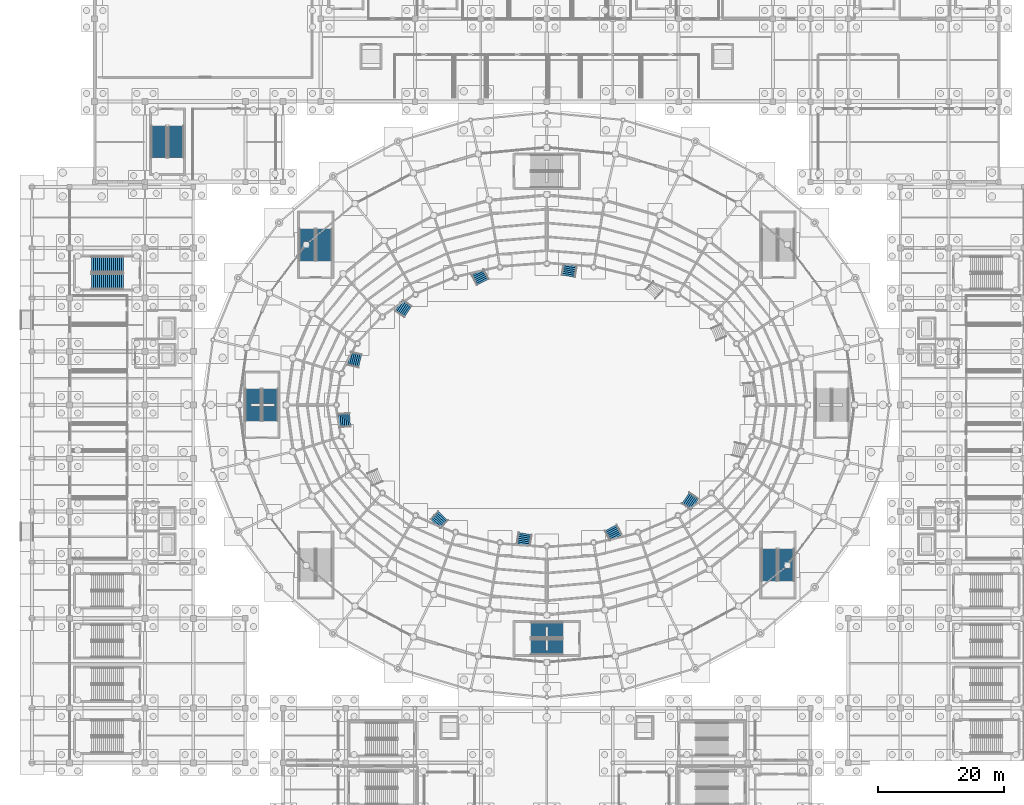
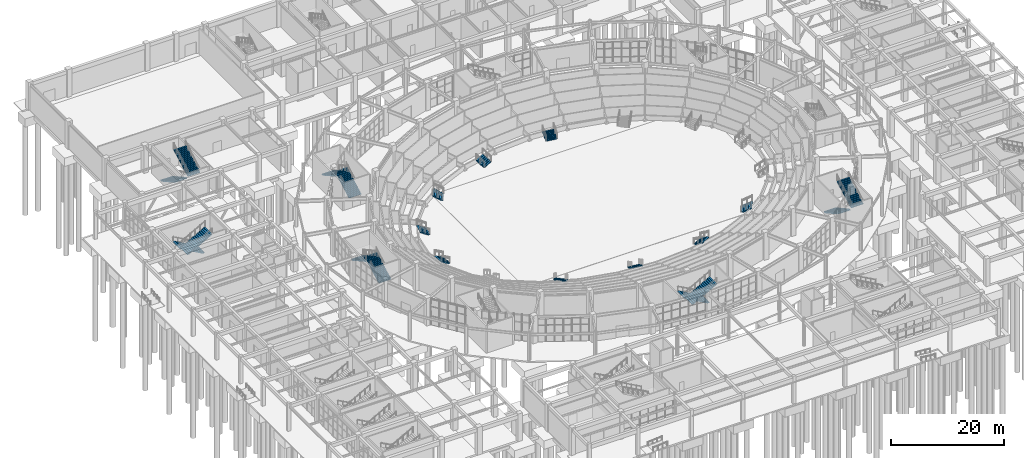
# One storey, part 97 of 121: 21 stair flights, 15 elements without a shape of their own.
"""IFC4 building model written with IfcOpenShell, lengths in metres."""

import ifcopenshell
import ifcopenshell.guid

model = None  # the IFC model being written
_history = None  # IfcOwnerHistory: only IFC2X3 demands one
_inside = {}  # id of a spatial element -> (the spatial element, [elements in it])
_under = {}  # id of a project, library or spatial element -> (it, [spatial elements below it])
_declared = {}  # id of a project -> (the project, [libraries it declares])
_typed = {}  # id of a type object -> (the type object, [elements of that type])
_made_of = {}  # id of a material, layer set ... -> (it, [elements and type objects made of it])


def new_model(schema):
    """Start an empty IFC model of exactly this schema.

    Asked for "IFC4X3", IfcOpenShell would pick the latest addendum, in which some entities
    have other attributes; the version numbers below select the first issue.
    IFC2X3 requires an IfcOwnerHistory on every rooted entity: one is made here for all.
    """
    global model, _history
    if schema == "IFC4X3":
        model = ifcopenshell.file(schema_version=(4, 3, 0, 0))
    else:
        model = ifcopenshell.file(schema=schema)
    _inside.clear()
    _under.clear()
    _declared.clear()
    _typed.clear()
    _made_of.clear()
    _history = None
    if model.schema == "IFC2X3":
        org = make("IfcOrganization", Name="unknown")
        user = make(
            "IfcPersonAndOrganization",
            ThePerson=make("IfcPerson", FamilyName="unknown"),
            TheOrganization=org,
        )
        app = make(
            "IfcApplication",
            ApplicationDeveloper=org,
            Version="unknown",
            ApplicationFullName="unknown",
            ApplicationIdentifier="unknown",
        )
        _history = make(
            "IfcOwnerHistory",
            OwningUser=user,
            OwningApplication=app,
            ChangeAction="ADDED",
            CreationDate=0,
        )
    return model


def make(cls, **values):
    """One entity of the class cls with the attributes given. An attribute that is None is left unset."""
    return model.create_entity(
        cls, **{name: value for name, value in values.items() if value is not None}
    )


def rooted(cls, **values):
    """An entity with a GlobalId (a new one), such as an element, a storey or a relation."""
    return make(cls, GlobalId=ifcopenshell.guid.new(), OwnerHistory=_history, **values)


def si_unit(unit_type, name, prefix=None):
    """IfcSIUnit, for example si_unit("LENGTHUNIT", "METRE", prefix="MILLI")."""
    return make("IfcSIUnit", UnitType=unit_type, Prefix=prefix, Name=name)


def assignment(units):
    """IfcUnitAssignment: the units of a project."""
    return None if units is None else make("IfcUnitAssignment", Units=units)


def point(xyz):
    """IfcCartesianPoint."""
    return None if xyz is None else make("IfcCartesianPoint", Coordinates=xyz)


def direction(xyz):
    """IfcDirection."""
    return None if xyz is None else make("IfcDirection", DirectionRatios=xyz)


def frame(location, z_axis=None, x_axis=None):
    """IfcAxis2Placement3D, a coordinate frame: its origin and axes. An axis left out is left unset."""
    return make(
        "IfcAxis2Placement3D",
        Location=point(location),
        Axis=direction(z_axis),
        RefDirection=direction(x_axis),
    )


def origin():
    """The frame at (0, 0, 0) with its axes left unset."""
    return frame((0.0, 0.0, 0.0))


def place(relative_to, where):
    """IfcLocalPlacement: puts the frame where relative to a parent placement (None: the world)."""
    return make(
        "IfcLocalPlacement", PlacementRelTo=relative_to, RelativePlacement=where
    )


def context(
    kind, dimensions, precision=None, world=None, true_north=None, identifier=None
):
    """IfcGeometricRepresentationContext, for example the 3D "Model" context."""
    return make(
        "IfcGeometricRepresentationContext",
        ContextIdentifier=identifier,
        ContextType=kind,
        CoordinateSpaceDimension=dimensions,
        Precision=precision,
        WorldCoordinateSystem=world,
        TrueNorth=true_north,
    )


def subcontext(parent, identifier, kind, view, scale=None):
    """IfcGeometricRepresentationSubContext, for example "Body" below "Model"."""
    return make(
        "IfcGeometricRepresentationSubContext",
        ContextIdentifier=identifier,
        ContextType=kind,
        ParentContext=parent,
        TargetScale=scale,
        TargetView=view,
    )


def project(units=None, contexts=None):
    """IfcProject with its units and contexts."""
    return rooted(
        "IfcProject",
        Name="project",
        RepresentationContexts=contexts,
        UnitsInContext=assignment(units),
    )


def spatial(cls, under=None, at=None, **own):
    """A site, building, storey or space (cls), placed at a placement, below another one or the project."""
    s = rooted(cls, ObjectPlacement=at, **own)
    if under is not None:
        _under.setdefault(under.id(), (under, []))[1].append(s)
    return s


def polyline(points):
    """IfcPolyline through the points."""
    return make("IfcPolyline", Points=[point(p) for p in points])


def outline(outer, holes=None, kind="AREA"):
    """IfcArbitraryClosedProfileDef: a profile drawn as a closed curve; with holes, ...WithVoids."""
    if holes is None:
        return make("IfcArbitraryClosedProfileDef", ProfileType=kind, OuterCurve=outer)
    return make(
        "IfcArbitraryProfileDefWithVoids",
        ProfileType=kind,
        OuterCurve=outer,
        InnerCurves=holes,
    )


def extrude(swept, where, along, depth):
    """IfcExtrudedAreaSolid: the profile swept, set in the frame where, extruded along a direction by depth."""
    return make(
        "IfcExtrudedAreaSolid",
        SweptArea=swept,
        Position=where,
        ExtrudedDirection=direction(along),
        Depth=depth,
    )


def shape(context_of_items, identifier, shape_type, items):
    """IfcShapeRepresentation: the items that make up one representation, for example the "Body"."""
    return make(
        "IfcShapeRepresentation",
        ContextOfItems=context_of_items,
        RepresentationIdentifier=identifier,
        RepresentationType=shape_type,
        Items=items,
    )


def material(Name=None, Category=None):
    """IfcMaterial."""
    return make("IfcMaterial", Name=Name, Category=Category)


def made_of(thing, what):
    """Note that an element or type object is made of a material, layer set ...; save() writes the relation."""
    if what is not None:
        _made_of.setdefault(what.id(), (what, []))[1].append(thing)
    return thing


def type_object(cls, material=None, **own):
    """A type object (cls), such as IfcWallType, which elements share."""
    return made_of(rooted(cls, **own), material)


def element(
    cls,
    number,
    at=None,
    inside=None,
    cuts=None,
    type_object=None,
    material=None,
    context=None,
    identifier="Body",
    shape_type=None,
    held_by="IfcProductDefinitionShape",
    body=None,
    shapes=None,
    **own,
):
    """One element of the class cls, such as IfcWall. Its Tag is "e" and its number.

    at: its placement. inside: the storey or other place that contains it. cuts: it is an
    opening in that element (IfcRelVoidsElement). A single representation is given by context,
    identifier, shape_type and body (its items); several are given by shapes. held_by: the class
    of the entity that holds the representations. save() writes the other relations.
    """
    e = rooted(cls, Tag="e%d" % number, ObjectPlacement=at, **own)
    if body is not None:
        shapes = [shape(context, identifier, shape_type, body)]
    if shapes is not None:
        e.Representation = make(held_by, Representations=shapes)
    if inside is not None:
        _inside.setdefault(inside.id(), (inside, []))[1].append(e)
    if cuts is not None:
        rooted(
            "IfcRelVoidsElement", RelatingBuildingElement=cuts, RelatedOpeningElement=e
        )
    if type_object is not None:
        _typed.setdefault(type_object.id(), (type_object, []))[1].append(e)
    return made_of(e, material)


def aggregate(whole, parts):
    """IfcRelAggregates: a whole, such as a stair, and the parts it consists of."""
    return rooted("IfcRelAggregates", RelatingObject=whole, RelatedObjects=parts)


def save(model, path):
    """Write the relations noted so far, then the file.

    IfcRelAggregates (storeys below a building ...), IfcRelContainedInSpatialStructure (elements
    in a storey), IfcRelDefinesByType, IfcRelAssociatesMaterial and IfcRelDeclares: one each for
    every whole, place, type object, material and project.
    """
    for whole, parts in _under.values():
        aggregate(whole, parts)
    for where, things in _inside.values():
        rooted(
            "IfcRelContainedInSpatialStructure",
            RelatedElements=things,
            RelatingStructure=where,
        )
    for kind, things in _typed.values():
        rooted("IfcRelDefinesByType", RelatedObjects=things, RelatingType=kind)
    for what, things in _made_of.values():
        rooted("IfcRelAssociatesMaterial", RelatedObjects=things, RelatingMaterial=what)
    for by, libraries in _declared.values():
        rooted("IfcRelDeclares", RelatingContext=by, RelatedDefinitions=libraries)
    model.write(path)


model = new_model("IFC4")

# Units and contexts
model_context = context("Model", 3, precision=1e-05, world=origin(), true_north=direction((0.0, 1.0)))
body_context = subcontext(model_context, "Body", "Model", "MODEL_VIEW")
ifc_project = project(units=[si_unit("LENGTHUNIT", "METRE"), si_unit("AREAUNIT", "SQUARE_METRE"), si_unit("VOLUMEUNIT", "CUBIC_METRE"), si_unit("PLANEANGLEUNIT", "RADIAN"), si_unit("MASSUNIT", "GRAM", prefix="KILO")], contexts=[model_context])

# Site, building, storey
site_placement = place(None, origin())
site = spatial("IfcSite", under=ifc_project, at=site_placement, CompositionType="ELEMENT")
building_placement = place(site_placement, origin())
building = spatial("IfcBuilding", under=site, at=building_placement, Name="Cuetzalor Civic Arena", CompositionType="ELEMENT")
storey_placement = place(building_placement, origin())
storey = spatial("IfcBuildingStorey", under=building, at=storey_placement, Name="L00", CompositionType="ELEMENT", Elevation=0.0)

# Stair, stair flights
ifc_material_1 = material(Name="Precast concrete C40/50", Category="concrete")
stair_type_1 = type_object("IfcStairType", Name="EnclosedExitStair_H600", PredefinedType="HALF_TURN_STAIR", material=ifc_material_1)
stair_1_placement = place(storey_placement, origin())
stair_1 = element("IfcStair", 1, at=stair_1_placement, inside=storey, type_object=stair_type_1, Name="L00 Enclosed Exit Stair ST-04", PredefinedType="HALF_TURN_STAIR")
ifc_material_2 = material(Name="Precast concrete C40/50", Category="concrete")
stair_flight_type_1 = type_object("IfcStairFlightType", Name="ExitStairFlight_H600", PredefinedType="STRAIGHT", material=ifc_material_2)
stair_flight_1_placement = place(storey_placement, frame((-35.449951171875, 22.949951171875, 0.0), z_axis=(0.0, 0.0, 1.0), x_axis=(0.0, 1.0, 0.0)))
stair_flight_1 = element("IfcStairFlight", 2, at=stair_flight_1_placement, type_object=stair_flight_type_1, Name="ST-04 flight 1", NumberOfRisers=17, NumberOfTreads=16, PredefinedType="STRAIGHT", RiserHeight=0.176470588, TreadLength=0.318, context=body_context, shape_type="SweptSolid", body=[
    extrude(outline(polyline([(0.0, 0.0), (0.0, 0.176513671875), (0.318115234375, 0.176513671875), (0.318115234375, 0.35302734375), (0.635986328125, 0.35302734375), (0.635986328125, 0.529296875), (0.9541015625, 0.529296875), (0.9541015625, 0.705810546875), (1.27197265625, 0.705810546875), (1.27197265625, 0.88232421875), (1.590087890625, 0.88232421875), (1.590087890625, 1.058837890625), (1.907958984375, 1.058837890625), (1.907958984375, 1.2353515625), (2.22607421875, 1.2353515625), (2.22607421875, 1.411865234375), (2.5439453125, 1.411865234375), (2.5439453125, 1.588134765625), (2.862060546875, 1.588134765625), (2.862060546875, 1.7646484375), (3.179931640625, 1.7646484375), (3.179931640625, 1.941162109375), (3.498046875, 1.941162109375), (3.498046875, 2.11767578125), (3.81591796875, 2.11767578125), (3.81591796875, 2.294189453125), (4.134033203125, 2.294189453125), (4.134033203125, 2.470703125), (4.451904296875, 2.470703125), (4.451904296875, 2.64697265625), (4.77001953125, 2.64697265625), (4.77001953125, 2.823486328125), (5.087890625, 2.823486328125), (5.087890625, 3.0), (5.087890625, 2.61767578125), (0.370849609375, 0.0), (0.0, 0.0)])), frame((0.0, 1.25, 0.0), z_axis=(0.0, -1.0, 0.0), x_axis=(1.0, 0.0, 0.0)), (0.0, 0.0, 1.0), 2.5),
])
stair_flight_2_placement = place(storey_placement, frame((-38.14990234375, 28.0380859375, 3.0), z_axis=(0.0, 0.0, 1.0), x_axis=(0.0, -1.0, 0.0)))
stair_flight_2 = element("IfcStairFlight", 3, at=stair_flight_2_placement, type_object=stair_flight_type_1, Name="ST-04 flight 2", NumberOfRisers=17, NumberOfTreads=16, PredefinedType="STRAIGHT", RiserHeight=0.176470588, TreadLength=0.318, context=body_context, shape_type="SweptSolid", body=[
    extrude(outline(polyline([(0.0, 0.0), (0.0, 0.176513671875), (0.318115234375, 0.176513671875), (0.318115234375, 0.35302734375), (0.635986328125, 0.35302734375), (0.635986328125, 0.529296875), (0.9541015625, 0.529296875), (0.9541015625, 0.705810546875), (1.27197265625, 0.705810546875), (1.27197265625, 0.88232421875), (1.590087890625, 0.88232421875), (1.590087890625, 1.058837890625), (1.907958984375, 1.058837890625), (1.907958984375, 1.2353515625), (2.22607421875, 1.2353515625), (2.22607421875, 1.411865234375), (2.5439453125, 1.411865234375), (2.5439453125, 1.588134765625), (2.862060546875, 1.588134765625), (2.862060546875, 1.7646484375), (3.179931640625, 1.7646484375), (3.179931640625, 1.941162109375), (3.498046875, 1.941162109375), (3.498046875, 2.11767578125), (3.81591796875, 2.11767578125), (3.81591796875, 2.294189453125), (4.134033203125, 2.294189453125), (4.134033203125, 2.470703125), (4.451904296875, 2.470703125), (4.451904296875, 2.64697265625), (4.77001953125, 2.64697265625), (4.77001953125, 2.823486328125), (5.087890625, 2.823486328125), (5.087890625, 3.0), (5.087890625, 2.61767578125), (0.370849609375, 0.0), (0.0, 0.0)])), frame((0.0, 1.25, 0.0), z_axis=(0.0, -1.0, 0.0), x_axis=(1.0, 0.0, 0.0)), (0.0, 0.0, 1.0), 2.5),
])
aggregate(stair_1, [stair_flight_1, stair_flight_2])

stair_2_placement = place(storey_placement, origin())
stair_2 = element("IfcStair", 4, at=stair_2_placement, inside=storey, type_object=stair_type_1, Name="L00 Enclosed Exit Stair ST-05", PredefinedType="HALF_TURN_STAIR")
stair_flight_3_placement = place(storey_placement, frame((-44.050048828125, -2.550048828125, 0.0), z_axis=(0.0, 0.0, 1.0), x_axis=(0.0, 1.0, 0.0)))
stair_flight_3 = element("IfcStairFlight", 5, at=stair_flight_3_placement, type_object=stair_flight_type_1, Name="ST-05 flight 1", NumberOfRisers=17, NumberOfTreads=16, PredefinedType="STRAIGHT", RiserHeight=0.176470588, TreadLength=0.318, context=body_context, shape_type="SweptSolid", body=[
    extrude(outline(polyline([(0.0, 0.0), (0.0, 0.176513671875), (0.318115234375, 0.176513671875), (0.318115234375, 0.35302734375), (0.635986328125, 0.35302734375), (0.635986328125, 0.529296875), (0.9541015625, 0.529296875), (0.9541015625, 0.705810546875), (1.27197265625, 0.705810546875), (1.27197265625, 0.88232421875), (1.590087890625, 0.88232421875), (1.590087890625, 1.058837890625), (1.907958984375, 1.058837890625), (1.907958984375, 1.2353515625), (2.22607421875, 1.2353515625), (2.22607421875, 1.411865234375), (2.5439453125, 1.411865234375), (2.5439453125, 1.588134765625), (2.862060546875, 1.588134765625), (2.862060546875, 1.7646484375), (3.179931640625, 1.7646484375), (3.179931640625, 1.941162109375), (3.498046875, 1.941162109375), (3.498046875, 2.11767578125), (3.81591796875, 2.11767578125), (3.81591796875, 2.294189453125), (4.134033203125, 2.294189453125), (4.134033203125, 2.470703125), (4.451904296875, 2.470703125), (4.451904296875, 2.64697265625), (4.77001953125, 2.64697265625), (4.77001953125, 2.823486328125), (5.087890625, 2.823486328125), (5.087890625, 3.0), (5.087890625, 2.61767578125), (0.370849609375, 0.0), (0.0, 0.0)])), frame((0.0, 1.25, 0.0), z_axis=(0.0, -1.0, 0.0), x_axis=(1.0, 0.0, 0.0)), (0.0, 0.0, 1.0), 2.5),
])
stair_flight_4_placement = place(storey_placement, frame((-46.75, 2.5380859375, 3.0), z_axis=(0.0, 0.0, 1.0), x_axis=(0.0, -1.0, 0.0)))
stair_flight_4 = element("IfcStairFlight", 6, at=stair_flight_4_placement, type_object=stair_flight_type_1, Name="ST-05 flight 2", NumberOfRisers=17, NumberOfTreads=16, PredefinedType="STRAIGHT", RiserHeight=0.176470588, TreadLength=0.318, context=body_context, shape_type="SweptSolid", body=[
    extrude(outline(polyline([(0.0, 0.0), (0.0, 0.176513671875), (0.318115234375, 0.176513671875), (0.318115234375, 0.35302734375), (0.635986328125, 0.35302734375), (0.635986328125, 0.529296875), (0.9541015625, 0.529296875), (0.9541015625, 0.705810546875), (1.27197265625, 0.705810546875), (1.27197265625, 0.88232421875), (1.590087890625, 0.88232421875), (1.590087890625, 1.058837890625), (1.907958984375, 1.058837890625), (1.907958984375, 1.2353515625), (2.22607421875, 1.2353515625), (2.22607421875, 1.411865234375), (2.5439453125, 1.411865234375), (2.5439453125, 1.588134765625), (2.862060546875, 1.588134765625), (2.862060546875, 1.7646484375), (3.179931640625, 1.7646484375), (3.179931640625, 1.941162109375), (3.498046875, 1.941162109375), (3.498046875, 2.11767578125), (3.81591796875, 2.11767578125), (3.81591796875, 2.294189453125), (4.134033203125, 2.294189453125), (4.134033203125, 2.470703125), (4.451904296875, 2.470703125), (4.451904296875, 2.64697265625), (4.77001953125, 2.64697265625), (4.77001953125, 2.823486328125), (5.087890625, 2.823486328125), (5.087890625, 3.0), (5.087890625, 2.61767578125), (0.370849609375, 0.0), (0.0, 0.0)])), frame((0.0, 1.25, 0.0), z_axis=(0.0, -1.0, 0.0), x_axis=(1.0, 0.0, 0.0)), (0.0, 0.0, 1.0), 2.5),
])
aggregate(stair_2, [stair_flight_3, stair_flight_4])

stair_3_placement = place(storey_placement, origin())
stair_3 = element("IfcStair", 7, at=stair_3_placement, inside=storey, type_object=stair_type_1, Name="L00 Enclosed Exit Stair ST-07", PredefinedType="HALF_TURN_STAIR")
stair_flight_5_placement = place(storey_placement, frame((2.550048828125, -35.85009765625, 0.0), z_axis=(0.0, 0.0, 1.0), x_axis=(-1.0, 0.0, 0.0)))
stair_flight_5 = element("IfcStairFlight", 8, at=stair_flight_5_placement, type_object=stair_flight_type_1, Name="ST-07 flight 1", NumberOfRisers=17, NumberOfTreads=16, PredefinedType="STRAIGHT", RiserHeight=0.176470588, TreadLength=0.318, context=body_context, shape_type="SweptSolid", body=[
    extrude(outline(polyline([(0.0, 0.0), (0.0, 0.176513671875), (0.318115234375, 0.176513671875), (0.318115234375, 0.35302734375), (0.635986328125, 0.35302734375), (0.635986328125, 0.529296875), (0.9541015625, 0.529296875), (0.9541015625, 0.705810546875), (1.27197265625, 0.705810546875), (1.27197265625, 0.88232421875), (1.590087890625, 0.88232421875), (1.590087890625, 1.058837890625), (1.907958984375, 1.058837890625), (1.907958984375, 1.2353515625), (2.22607421875, 1.2353515625), (2.22607421875, 1.411865234375), (2.5439453125, 1.411865234375), (2.5439453125, 1.588134765625), (2.862060546875, 1.588134765625), (2.862060546875, 1.7646484375), (3.179931640625, 1.7646484375), (3.179931640625, 1.941162109375), (3.498046875, 1.941162109375), (3.498046875, 2.11767578125), (3.81591796875, 2.11767578125), (3.81591796875, 2.294189453125), (4.134033203125, 2.294189453125), (4.134033203125, 2.470703125), (4.451904296875, 2.470703125), (4.451904296875, 2.64697265625), (4.77001953125, 2.64697265625), (4.77001953125, 2.823486328125), (5.087890625, 2.823486328125), (5.087890625, 3.0), (5.087890625, 2.61767578125), (0.370849609375, 0.0), (0.0, 0.0)])), frame((0.0, 1.25, 0.0), z_axis=(0.0, -1.0, 0.0), x_axis=(1.0, 0.0, 0.0)), (0.0, 0.0, 1.0), 2.5),
])
stair_flight_6_placement = place(storey_placement, frame((-2.5380859375, -38.550048828125, 3.0), z_axis=(0.0, 0.0, 1.0), x_axis=(1.0, 0.0, 0.0)))
stair_flight_6 = element("IfcStairFlight", 9, at=stair_flight_6_placement, type_object=stair_flight_type_1, Name="ST-07 flight 2", NumberOfRisers=17, NumberOfTreads=16, PredefinedType="STRAIGHT", RiserHeight=0.176470588, TreadLength=0.318, context=body_context, shape_type="SweptSolid", body=[
    extrude(outline(polyline([(0.0, 0.0), (0.0, 0.176513671875), (0.318115234375, 0.176513671875), (0.318115234375, 0.35302734375), (0.635986328125, 0.35302734375), (0.635986328125, 0.529296875), (0.9541015625, 0.529296875), (0.9541015625, 0.705810546875), (1.27197265625, 0.705810546875), (1.27197265625, 0.88232421875), (1.590087890625, 0.88232421875), (1.590087890625, 1.058837890625), (1.907958984375, 1.058837890625), (1.907958984375, 1.2353515625), (2.22607421875, 1.2353515625), (2.22607421875, 1.411865234375), (2.5439453125, 1.411865234375), (2.5439453125, 1.588134765625), (2.862060546875, 1.588134765625), (2.862060546875, 1.7646484375), (3.179931640625, 1.7646484375), (3.179931640625, 1.941162109375), (3.498046875, 1.941162109375), (3.498046875, 2.11767578125), (3.81591796875, 2.11767578125), (3.81591796875, 2.294189453125), (4.134033203125, 2.294189453125), (4.134033203125, 2.470703125), (4.451904296875, 2.470703125), (4.451904296875, 2.64697265625), (4.77001953125, 2.64697265625), (4.77001953125, 2.823486328125), (5.087890625, 2.823486328125), (5.087890625, 3.0), (5.087890625, 2.61767578125), (0.370849609375, 0.0), (0.0, 0.0)])), frame((0.0, 1.25, 0.0), z_axis=(0.0, -1.0, 0.0), x_axis=(1.0, 0.0, 0.0)), (0.0, 0.0, 1.0), 2.5),
])
aggregate(stair_3, [stair_flight_5, stair_flight_6])

stair_4_placement = place(storey_placement, origin())
stair_4 = element("IfcStair", 10, at=stair_4_placement, inside=storey, type_object=stair_type_1, Name="L00 Enclosed Exit Stair ST-08", PredefinedType="HALF_TURN_STAIR")
stair_flight_7_placement = place(storey_placement, frame((35.449951171875, -22.949951171875, 0.0), z_axis=(0.0, 0.0, 1.0), x_axis=(0.0, -1.0, 0.0)))
stair_flight_7 = element("IfcStairFlight", 11, at=stair_flight_7_placement, type_object=stair_flight_type_1, Name="ST-08 flight 1", NumberOfRisers=17, NumberOfTreads=16, PredefinedType="STRAIGHT", RiserHeight=0.176470588, TreadLength=0.318, context=body_context, shape_type="SweptSolid", body=[
    extrude(outline(polyline([(0.0, 0.0), (0.0, 0.176513671875), (0.318115234375, 0.176513671875), (0.318115234375, 0.35302734375), (0.635986328125, 0.35302734375), (0.635986328125, 0.529296875), (0.9541015625, 0.529296875), (0.9541015625, 0.705810546875), (1.27197265625, 0.705810546875), (1.27197265625, 0.88232421875), (1.590087890625, 0.88232421875), (1.590087890625, 1.058837890625), (1.907958984375, 1.058837890625), (1.907958984375, 1.2353515625), (2.22607421875, 1.2353515625), (2.22607421875, 1.411865234375), (2.5439453125, 1.411865234375), (2.5439453125, 1.588134765625), (2.862060546875, 1.588134765625), (2.862060546875, 1.7646484375), (3.179931640625, 1.7646484375), (3.179931640625, 1.941162109375), (3.498046875, 1.941162109375), (3.498046875, 2.11767578125), (3.81591796875, 2.11767578125), (3.81591796875, 2.294189453125), (4.134033203125, 2.294189453125), (4.134033203125, 2.470703125), (4.451904296875, 2.470703125), (4.451904296875, 2.64697265625), (4.77001953125, 2.64697265625), (4.77001953125, 2.823486328125), (5.087890625, 2.823486328125), (5.087890625, 3.0), (5.087890625, 2.61767578125), (0.370849609375, 0.0), (0.0, 0.0)])), frame((0.0, 1.25, 0.0), z_axis=(0.0, -1.0, 0.0), x_axis=(1.0, 0.0, 0.0)), (0.0, 0.0, 1.0), 2.5),
])
stair_flight_8_placement = place(storey_placement, frame((38.14990234375, -28.0380859375, 3.0), z_axis=(0.0, 0.0, 1.0), x_axis=(0.0, 1.0, 0.0)))
stair_flight_8 = element("IfcStairFlight", 12, at=stair_flight_8_placement, type_object=stair_flight_type_1, Name="ST-08 flight 2", NumberOfRisers=17, NumberOfTreads=16, PredefinedType="STRAIGHT", RiserHeight=0.176470588, TreadLength=0.318, context=body_context, shape_type="SweptSolid", body=[
    extrude(outline(polyline([(0.0, 0.0), (0.0, 0.176513671875), (0.318115234375, 0.176513671875), (0.318115234375, 0.35302734375), (0.635986328125, 0.35302734375), (0.635986328125, 0.529296875), (0.9541015625, 0.529296875), (0.9541015625, 0.705810546875), (1.27197265625, 0.705810546875), (1.27197265625, 0.88232421875), (1.590087890625, 0.88232421875), (1.590087890625, 1.058837890625), (1.907958984375, 1.058837890625), (1.907958984375, 1.2353515625), (2.22607421875, 1.2353515625), (2.22607421875, 1.411865234375), (2.5439453125, 1.411865234375), (2.5439453125, 1.588134765625), (2.862060546875, 1.588134765625), (2.862060546875, 1.7646484375), (3.179931640625, 1.7646484375), (3.179931640625, 1.941162109375), (3.498046875, 1.941162109375), (3.498046875, 2.11767578125), (3.81591796875, 2.11767578125), (3.81591796875, 2.294189453125), (4.134033203125, 2.294189453125), (4.134033203125, 2.470703125), (4.451904296875, 2.470703125), (4.451904296875, 2.64697265625), (4.77001953125, 2.64697265625), (4.77001953125, 2.823486328125), (5.087890625, 2.823486328125), (5.087890625, 3.0), (5.087890625, 2.61767578125), (0.370849609375, 0.0), (0.0, 0.0)])), frame((0.0, 1.25, 0.0), z_axis=(0.0, -1.0, 0.0), x_axis=(1.0, 0.0, 0.0)), (0.0, 0.0, 1.0), 2.5),
])
aggregate(stair_4, [stair_flight_7, stair_flight_8])

stair_5_placement = place(storey_placement, origin())
stair_5 = element("IfcStair", 13, at=stair_5_placement, inside=storey, type_object=stair_type_1, Name="L00 Enclosed Exit Stair ST-17", PredefinedType="HALF_TURN_STAIR")
stair_flight_9_placement = place(storey_placement, frame((-67.449951171875, 22.35009765625, 0.0), z_axis=(0.0, 0.0, 1.0), x_axis=(-1.0, 0.0, 0.0)))
stair_flight_9 = element("IfcStairFlight", 14, at=stair_flight_9_placement, type_object=stair_flight_type_1, Name="ST-17 flight 1", NumberOfRisers=17, NumberOfTreads=16, PredefinedType="STRAIGHT", RiserHeight=0.176470588, TreadLength=0.318, context=body_context, shape_type="SweptSolid", body=[
    extrude(outline(polyline([(0.0, 0.0), (0.0, 0.176513671875), (0.318115234375, 0.176513671875), (0.318115234375, 0.35302734375), (0.635986328125, 0.35302734375), (0.635986328125, 0.529296875), (0.9541015625, 0.529296875), (0.9541015625, 0.705810546875), (1.27197265625, 0.705810546875), (1.27197265625, 0.88232421875), (1.590087890625, 0.88232421875), (1.590087890625, 1.058837890625), (1.907958984375, 1.058837890625), (1.907958984375, 1.2353515625), (2.22607421875, 1.2353515625), (2.22607421875, 1.411865234375), (2.5439453125, 1.411865234375), (2.5439453125, 1.588134765625), (2.862060546875, 1.588134765625), (2.862060546875, 1.7646484375), (3.179931640625, 1.7646484375), (3.179931640625, 1.941162109375), (3.498046875, 1.941162109375), (3.498046875, 2.11767578125), (3.81591796875, 2.11767578125), (3.81591796875, 2.294189453125), (4.134033203125, 2.294189453125), (4.134033203125, 2.470703125), (4.451904296875, 2.470703125), (4.451904296875, 2.64697265625), (4.77001953125, 2.64697265625), (4.77001953125, 2.823486328125), (5.087890625, 2.823486328125), (5.087890625, 3.0), (5.087890625, 2.61767578125), (0.370849609375, 0.0), (0.0, 0.0)])), frame((0.0, 1.25, 0.0), z_axis=(0.0, -1.0, 0.0), x_axis=(1.0, 0.0, 0.0)), (0.0, 0.0, 1.0), 2.5),
])
stair_flight_10_placement = place(storey_placement, frame((-72.5380859375, 19.64990234375, 3.0), z_axis=(0.0, 0.0, 1.0), x_axis=(1.0, 0.0, 0.0)))
stair_flight_10 = element("IfcStairFlight", 15, at=stair_flight_10_placement, type_object=stair_flight_type_1, Name="ST-17 flight 2", NumberOfRisers=17, NumberOfTreads=16, PredefinedType="STRAIGHT", RiserHeight=0.176470588, TreadLength=0.318, context=body_context, shape_type="SweptSolid", body=[
    extrude(outline(polyline([(0.0, 0.0), (0.0, 0.176513671875), (0.318115234375, 0.176513671875), (0.318115234375, 0.35302734375), (0.635986328125, 0.35302734375), (0.635986328125, 0.529296875), (0.9541015625, 0.529296875), (0.9541015625, 0.705810546875), (1.27197265625, 0.705810546875), (1.27197265625, 0.88232421875), (1.590087890625, 0.88232421875), (1.590087890625, 1.058837890625), (1.907958984375, 1.058837890625), (1.907958984375, 1.2353515625), (2.22607421875, 1.2353515625), (2.22607421875, 1.411865234375), (2.5439453125, 1.411865234375), (2.5439453125, 1.588134765625), (2.862060546875, 1.588134765625), (2.862060546875, 1.7646484375), (3.179931640625, 1.7646484375), (3.179931640625, 1.941162109375), (3.498046875, 1.941162109375), (3.498046875, 2.11767578125), (3.81591796875, 2.11767578125), (3.81591796875, 2.294189453125), (4.134033203125, 2.294189453125), (4.134033203125, 2.470703125), (4.451904296875, 2.470703125), (4.451904296875, 2.64697265625), (4.77001953125, 2.64697265625), (4.77001953125, 2.823486328125), (5.087890625, 2.823486328125), (5.087890625, 3.0), (5.087890625, 2.61767578125), (0.370849609375, 0.0), (0.0, 0.0)])), frame((0.0, 1.25, 0.0), z_axis=(0.0, -1.0, 0.0), x_axis=(1.0, 0.0, 0.0)), (0.0, 0.0, 1.0), 2.5),
])
aggregate(stair_5, [stair_flight_9, stair_flight_10])

stair_6_placement = place(storey_placement, origin())
stair_6 = element("IfcStair", 16, at=stair_6_placement, inside=storey, type_object=stair_type_1, Name="L00 Enclosed Exit Stair ST-23", PredefinedType="HALF_TURN_STAIR")
stair_flight_11_placement = place(storey_placement, frame((-61.75, 44.449951171875, 0.0), z_axis=(0.0, 0.0, 1.0), x_axis=(0.0, -1.0, 0.0)))
stair_flight_11 = element("IfcStairFlight", 17, at=stair_flight_11_placement, type_object=stair_flight_type_1, Name="ST-23 flight 1", NumberOfRisers=17, NumberOfTreads=16, PredefinedType="STRAIGHT", RiserHeight=0.176470588, TreadLength=0.318, context=body_context, shape_type="SweptSolid", body=[
    extrude(outline(polyline([(0.0, 0.0), (0.0, 0.176513671875), (0.318115234375, 0.176513671875), (0.318115234375, 0.35302734375), (0.635986328125, 0.35302734375), (0.635986328125, 0.529296875), (0.9541015625, 0.529296875), (0.9541015625, 0.705810546875), (1.27197265625, 0.705810546875), (1.27197265625, 0.88232421875), (1.590087890625, 0.88232421875), (1.590087890625, 1.058837890625), (1.907958984375, 1.058837890625), (1.907958984375, 1.2353515625), (2.22607421875, 1.2353515625), (2.22607421875, 1.411865234375), (2.5439453125, 1.411865234375), (2.5439453125, 1.588134765625), (2.862060546875, 1.588134765625), (2.862060546875, 1.7646484375), (3.179931640625, 1.7646484375), (3.179931640625, 1.941162109375), (3.498046875, 1.941162109375), (3.498046875, 2.11767578125), (3.81591796875, 2.11767578125), (3.81591796875, 2.294189453125), (4.134033203125, 2.294189453125), (4.134033203125, 2.470703125), (4.451904296875, 2.470703125), (4.451904296875, 2.64697265625), (4.77001953125, 2.64697265625), (4.77001953125, 2.823486328125), (5.087890625, 2.823486328125), (5.087890625, 3.0), (5.087890625, 2.61767578125), (0.370849609375, 0.0), (0.0, 0.0)])), frame((0.0, 1.25, 0.0), z_axis=(0.0, -1.0, 0.0), x_axis=(1.0, 0.0, 0.0)), (0.0, 0.0, 1.0), 2.5),
])
stair_flight_12_placement = place(storey_placement, frame((-59.050048828125, 39.362060546875, 3.0), z_axis=(0.0, 0.0, 1.0), x_axis=(0.0, 1.0, 0.0)))
stair_flight_12 = element("IfcStairFlight", 18, at=stair_flight_12_placement, type_object=stair_flight_type_1, Name="ST-23 flight 2", NumberOfRisers=17, NumberOfTreads=16, PredefinedType="STRAIGHT", RiserHeight=0.176470588, TreadLength=0.318, context=body_context, shape_type="SweptSolid", body=[
    extrude(outline(polyline([(0.0, 0.0), (0.0, 0.176513671875), (0.318115234375, 0.176513671875), (0.318115234375, 0.35302734375), (0.635986328125, 0.35302734375), (0.635986328125, 0.529296875), (0.9541015625, 0.529296875), (0.9541015625, 0.705810546875), (1.27197265625, 0.705810546875), (1.27197265625, 0.88232421875), (1.590087890625, 0.88232421875), (1.590087890625, 1.058837890625), (1.907958984375, 1.058837890625), (1.907958984375, 1.2353515625), (2.22607421875, 1.2353515625), (2.22607421875, 1.411865234375), (2.5439453125, 1.411865234375), (2.5439453125, 1.588134765625), (2.862060546875, 1.588134765625), (2.862060546875, 1.7646484375), (3.179931640625, 1.7646484375), (3.179931640625, 1.941162109375), (3.498046875, 1.941162109375), (3.498046875, 2.11767578125), (3.81591796875, 2.11767578125), (3.81591796875, 2.294189453125), (4.134033203125, 2.294189453125), (4.134033203125, 2.470703125), (4.451904296875, 2.470703125), (4.451904296875, 2.64697265625), (4.77001953125, 2.64697265625), (4.77001953125, 2.823486328125), (5.087890625, 2.823486328125), (5.087890625, 3.0), (5.087890625, 2.61767578125), (0.370849609375, 0.0), (0.0, 0.0)])), frame((0.0, 1.25, 0.0), z_axis=(0.0, -1.0, 0.0), x_axis=(1.0, 0.0, 0.0)), (0.0, 0.0, 1.0), 2.5),
])
aggregate(stair_6, [stair_flight_11, stair_flight_12])

# Stair, stair flight
ifc_material_3 = material(Name="Precast concrete C40/50", Category="concrete")
stair_type_2 = type_object("IfcStairType", Name="BowlVomitoryStair_W220", PredefinedType="STRAIGHT_RUN_STAIR", material=ifc_material_3)
stair_7_placement = place(storey_placement, origin())
stair_7 = element("IfcStair", 19, at=stair_7_placement, inside=storey, type_object=stair_type_2, Name="Lower Bowl Radial Vomitory Stair VST-04", PredefinedType="STRAIGHT_RUN_STAIR")
ifc_material_4 = material(Name="Precast concrete C40/50", Category="concrete")
stair_flight_type_2 = type_object("IfcStairFlightType", Name="VomitoryStairFlight_220", PredefinedType="STRAIGHT", material=ifc_material_4)
stair_flight_13_placement = place(storey_placement, frame((3.439453125, 20.501953125, 0.0), z_axis=(0.0, 0.0, 1.0), x_axis=(0.165443512968, 0.986219267717, 0.0)))
stair_flight_13 = element("IfcStairFlight", 20, at=stair_flight_13_placement, type_object=stair_flight_type_2, Name="VST-04 flight 1", NumberOfRisers=7, NumberOfTreads=6, PredefinedType="STRAIGHT", RiserHeight=0.171429, TreadLength=0.3, context=body_context, shape_type="SweptSolid", body=[
    extrude(outline(polyline([(0.0, 0.0), (0.0, 0.17138671875), (0.300048828125, 0.17138671875), (0.300048828125, 0.3427734375), (0.60009765625, 0.3427734375), (0.60009765625, 0.514404296875), (0.89990234375, 0.514404296875), (0.89990234375, 0.685791015625), (1.199951171875, 0.685791015625), (1.199951171875, 0.857177734375), (1.5, 0.857177734375), (1.5, 1.028564453125), (1.800048828125, 1.028564453125), (1.800048828125, 1.199951171875), (1.800048828125, 0.844482421875), (0.322265625, 0.0), (0.0, 0.0)])), frame((0.0, 1.10009765625, 0.0), z_axis=(0.0, -1.0, 0.0), x_axis=(1.0, 0.0, 0.0)), (0.0, 0.0, 1.0), 2.199951171875),
])
aggregate(stair_7, [stair_flight_13])

stair_8_placement = place(storey_placement, origin())
stair_8 = element("IfcStair", 21, at=stair_8_placement, inside=storey, type_object=stair_type_2, Name="Lower Bowl Radial Vomitory Stair VST-05", PredefinedType="STRAIGHT_RUN_STAIR")
stair_flight_14_placement = place(storey_placement, frame((-10.19091796875, 19.560791015625, 0.0), z_axis=(0.0, 0.0, 1.0), x_axis=(-0.462042731772, 0.886857662771, 0.0)))
stair_flight_14 = element("IfcStairFlight", 22, at=stair_flight_14_placement, type_object=stair_flight_type_2, Name="VST-05 flight 1", NumberOfRisers=7, NumberOfTreads=6, PredefinedType="STRAIGHT", RiserHeight=0.171429, TreadLength=0.3, context=body_context, shape_type="SweptSolid", body=[
    extrude(outline(polyline([(0.0, 0.0), (0.0, 0.17138671875), (0.300048828125, 0.17138671875), (0.300048828125, 0.3427734375), (0.60009765625, 0.3427734375), (0.60009765625, 0.514404296875), (0.89990234375, 0.514404296875), (0.89990234375, 0.685791015625), (1.199951171875, 0.685791015625), (1.199951171875, 0.857177734375), (1.5, 0.857177734375), (1.5, 1.028564453125), (1.800048828125, 1.028564453125), (1.800048828125, 1.199951171875), (1.800048828125, 0.844482421875), (0.322265625, 0.0), (0.0, 0.0)])), frame((0.0, 1.10009765625, 0.0), z_axis=(0.0, -1.0, 0.0), x_axis=(1.0, 0.0, 0.0)), (0.0, 0.0, 1.0), 2.199951171875),
])
aggregate(stair_8, [stair_flight_14])

stair_9_placement = place(storey_placement, origin())
stair_9 = element("IfcStair", 23, at=stair_9_placement, inside=storey, type_object=stair_type_2, Name="Lower Bowl Radial Vomitory Stair VST-06", PredefinedType="STRAIGHT_RUN_STAIR")
stair_flight_15_placement = place(storey_placement, frame((-22.0947265625, 14.839599609375, 0.0), z_axis=(0.0, 0.0, 1.0), x_axis=(-0.830138812081, 0.557556770811, 0.0)))
stair_flight_15 = element("IfcStairFlight", 24, at=stair_flight_15_placement, type_object=stair_flight_type_2, Name="VST-06 flight 1", NumberOfRisers=7, NumberOfTreads=6, PredefinedType="STRAIGHT", RiserHeight=0.171429, TreadLength=0.3, context=body_context, shape_type="SweptSolid", body=[
    extrude(outline(polyline([(0.0, 0.0), (0.0, 0.17138671875), (0.300048828125, 0.17138671875), (0.300048828125, 0.3427734375), (0.60009765625, 0.3427734375), (0.60009765625, 0.514404296875), (0.89990234375, 0.514404296875), (0.89990234375, 0.685791015625), (1.199951171875, 0.685791015625), (1.199951171875, 0.857177734375), (1.5, 0.857177734375), (1.5, 1.028564453125), (1.800048828125, 1.028564453125), (1.800048828125, 1.199951171875), (1.800048828125, 0.844482421875), (0.322265625, 0.0), (0.0, 0.0)])), frame((0.0, 1.10009765625, 0.0), z_axis=(0.0, -1.0, 0.0), x_axis=(1.0, 0.0, 0.0)), (0.0, 0.0, 1.0), 2.199951171875),
])
aggregate(stair_9, [stair_flight_15])

stair_10_placement = place(storey_placement, origin())
stair_10 = element("IfcStair", 25, at=stair_10_placement, inside=storey, type_object=stair_type_2, Name="Lower Bowl Radial Vomitory Stair VST-07", PredefinedType="STRAIGHT_RUN_STAIR")
stair_flight_16_placement = place(storey_placement, frame((-29.727294921875, 6.986572265625, 0.0), z_axis=(0.0, 0.0, 1.0), x_axis=(-0.973479173335, 0.228775652294, 0.0)))
stair_flight_16 = element("IfcStairFlight", 26, at=stair_flight_16_placement, type_object=stair_flight_type_2, Name="VST-07 flight 1", NumberOfRisers=7, NumberOfTreads=6, PredefinedType="STRAIGHT", RiserHeight=0.171429, TreadLength=0.3, context=body_context, shape_type="SweptSolid", body=[
    extrude(outline(polyline([(0.0, 0.0), (0.0, 0.17138671875), (0.300048828125, 0.17138671875), (0.300048828125, 0.3427734375), (0.60009765625, 0.3427734375), (0.60009765625, 0.514404296875), (0.89990234375, 0.514404296875), (0.89990234375, 0.685791015625), (1.199951171875, 0.685791015625), (1.199951171875, 0.857177734375), (1.5, 0.857177734375), (1.5, 1.028564453125), (1.800048828125, 1.028564453125), (1.800048828125, 1.199951171875), (1.800048828125, 0.844482421875), (0.322265625, 0.0), (0.0, 0.0)])), frame((0.0, 1.10009765625, 0.0), z_axis=(0.0, -1.0, 0.0), x_axis=(1.0, 0.0, 0.0)), (0.0, 0.0, 1.0), 2.199951171875),
])
aggregate(stair_10, [stair_flight_16])

stair_11_placement = place(storey_placement, origin())
stair_11 = element("IfcStair", 27, at=stair_11_placement, inside=storey, type_object=stair_type_2, Name="Lower Bowl Radial Vomitory Stair VST-08", PredefinedType="STRAIGHT_RUN_STAIR")
stair_flight_17_placement = place(storey_placement, frame((-31.344970703125, -2.3720703125, 0.0), z_axis=(0.0, 0.0, 1.0), x_axis=(-0.997148372934, -0.075466034441, 0.0)))
stair_flight_17 = element("IfcStairFlight", 28, at=stair_flight_17_placement, type_object=stair_flight_type_2, Name="VST-08 flight 1", NumberOfRisers=7, NumberOfTreads=6, PredefinedType="STRAIGHT", RiserHeight=0.171429, TreadLength=0.3, context=body_context, shape_type="SweptSolid", body=[
    extrude(outline(polyline([(0.0, 0.0), (0.0, 0.17138671875), (0.300048828125, 0.17138671875), (0.300048828125, 0.3427734375), (0.60009765625, 0.3427734375), (0.60009765625, 0.514404296875), (0.89990234375, 0.514404296875), (0.89990234375, 0.685791015625), (1.199951171875, 0.685791015625), (1.199951171875, 0.857177734375), (1.5, 0.857177734375), (1.5, 1.028564453125), (1.800048828125, 1.028564453125), (1.800048828125, 1.199951171875), (1.800048828125, 0.844482421875), (0.322265625, 0.0), (0.0, 0.0)])), frame((0.0, 1.10009765625, 0.0), z_axis=(0.0, -1.0, 0.0), x_axis=(1.0, 0.0, 0.0)), (0.0, 0.0, 1.0), 2.199951171875),
])
aggregate(stair_11, [stair_flight_17])

stair_12_placement = place(storey_placement, origin())
stair_12 = element("IfcStair", 29, at=stair_12_placement, inside=storey, type_object=stair_type_2, Name="Lower Bowl Radial Vomitory Stair VST-10", PredefinedType="STRAIGHT_RUN_STAIR")
stair_flight_18_placement = place(storey_placement, frame((-16.522216796875, -17.660888671875, 0.0), z_axis=(0.0, 0.0, 1.0), x_axis=(-0.683171817134, -0.730257672519, 0.0)))
stair_flight_18 = element("IfcStairFlight", 30, at=stair_flight_18_placement, type_object=stair_flight_type_2, Name="VST-10 flight 1", NumberOfRisers=7, NumberOfTreads=6, PredefinedType="STRAIGHT", RiserHeight=0.171429, TreadLength=0.3, context=body_context, shape_type="SweptSolid", body=[
    extrude(outline(polyline([(0.0, 0.0), (0.0, 0.17138671875), (0.300048828125, 0.17138671875), (0.300048828125, 0.3427734375), (0.60009765625, 0.3427734375), (0.60009765625, 0.514404296875), (0.89990234375, 0.514404296875), (0.89990234375, 0.685791015625), (1.199951171875, 0.685791015625), (1.199951171875, 0.857177734375), (1.5, 0.857177734375), (1.5, 1.028564453125), (1.800048828125, 1.028564453125), (1.800048828125, 1.199951171875), (1.800048828125, 0.844482421875), (0.322265625, 0.0), (0.0, 0.0)])), frame((0.0, 1.10009765625, 0.0), z_axis=(0.0, -1.0, 0.0), x_axis=(1.0, 0.0, 0.0)), (0.0, 0.0, 1.0), 2.199951171875),
])
aggregate(stair_12, [stair_flight_18])

stair_13_placement = place(storey_placement, origin())
stair_13 = element("IfcStair", 31, at=stair_13_placement, inside=storey, type_object=stair_type_2, Name="Lower Bowl Radial Vomitory Stair VST-11", PredefinedType="STRAIGHT_RUN_STAIR")
stair_flight_19_placement = place(storey_placement, frame((-3.439453125, -20.501953125, 0.0), z_axis=(0.0, 0.0, 1.0), x_axis=(-0.165443512968, -0.986219267717, 0.0)))
stair_flight_19 = element("IfcStairFlight", 32, at=stair_flight_19_placement, type_object=stair_flight_type_2, Name="VST-11 flight 1", NumberOfRisers=7, NumberOfTreads=6, PredefinedType="STRAIGHT", RiserHeight=0.171429, TreadLength=0.3, context=body_context, shape_type="SweptSolid", body=[
    extrude(outline(polyline([(0.0, 0.0), (0.0, 0.17138671875), (0.300048828125, 0.17138671875), (0.300048828125, 0.3427734375), (0.60009765625, 0.3427734375), (0.60009765625, 0.514404296875), (0.89990234375, 0.514404296875), (0.89990234375, 0.685791015625), (1.199951171875, 0.685791015625), (1.199951171875, 0.857177734375), (1.5, 0.857177734375), (1.5, 1.028564453125), (1.800048828125, 1.028564453125), (1.800048828125, 1.199951171875), (1.800048828125, 0.844482421875), (0.322265625, 0.0), (0.0, 0.0)])), frame((0.0, 1.10009765625, 0.0), z_axis=(0.0, -1.0, 0.0), x_axis=(1.0, 0.0, 0.0)), (0.0, 0.0, 1.0), 2.199951171875),
])
aggregate(stair_13, [stair_flight_19])

stair_14_placement = place(storey_placement, origin())
stair_14 = element("IfcStair", 33, at=stair_14_placement, inside=storey, type_object=stair_type_2, Name="Lower Bowl Radial Vomitory Stair VST-12", PredefinedType="STRAIGHT_RUN_STAIR")
stair_flight_20_placement = place(storey_placement, frame((10.19091796875, -19.560791015625, 0.0), z_axis=(0.0, 0.0, 1.0), x_axis=(0.462042731772, -0.886857662771, 0.0)))
stair_flight_20 = element("IfcStairFlight", 34, at=stair_flight_20_placement, type_object=stair_flight_type_2, Name="VST-12 flight 1", NumberOfRisers=7, NumberOfTreads=6, PredefinedType="STRAIGHT", RiserHeight=0.171429, TreadLength=0.3, context=body_context, shape_type="SweptSolid", body=[
    extrude(outline(polyline([(0.0, 0.0), (0.0, 0.17138671875), (0.300048828125, 0.17138671875), (0.300048828125, 0.3427734375), (0.60009765625, 0.3427734375), (0.60009765625, 0.514404296875), (0.89990234375, 0.514404296875), (0.89990234375, 0.685791015625), (1.199951171875, 0.685791015625), (1.199951171875, 0.857177734375), (1.5, 0.857177734375), (1.5, 1.028564453125), (1.800048828125, 1.028564453125), (1.800048828125, 1.199951171875), (1.800048828125, 0.844482421875), (0.322265625, 0.0), (0.0, 0.0)])), frame((0.0, 1.10009765625, 0.0), z_axis=(0.0, -1.0, 0.0), x_axis=(1.0, 0.0, 0.0)), (0.0, 0.0, 1.0), 2.199951171875),
])
aggregate(stair_14, [stair_flight_20])

stair_15_placement = place(storey_placement, origin())
stair_15 = element("IfcStair", 35, at=stair_15_placement, inside=storey, type_object=stair_type_2, Name="Lower Bowl Radial Vomitory Stair VST-13", PredefinedType="STRAIGHT_RUN_STAIR")
stair_flight_21_placement = place(storey_placement, frame((22.0947265625, -14.839599609375, 0.0), z_axis=(0.0, 0.0, 1.0), x_axis=(0.830138812081, -0.557556770811, 0.0)))
stair_flight_21 = element("IfcStairFlight", 36, at=stair_flight_21_placement, type_object=stair_flight_type_2, Name="VST-13 flight 1", NumberOfRisers=7, NumberOfTreads=6, PredefinedType="STRAIGHT", RiserHeight=0.171429, TreadLength=0.3, context=body_context, shape_type="SweptSolid", body=[
    extrude(outline(polyline([(0.0, 0.0), (0.0, 0.17138671875), (0.300048828125, 0.17138671875), (0.300048828125, 0.3427734375), (0.60009765625, 0.3427734375), (0.60009765625, 0.514404296875), (0.89990234375, 0.514404296875), (0.89990234375, 0.685791015625), (1.199951171875, 0.685791015625), (1.199951171875, 0.857177734375), (1.5, 0.857177734375), (1.5, 1.028564453125), (1.800048828125, 1.028564453125), (1.800048828125, 1.199951171875), (1.800048828125, 0.844482421875), (0.322265625, 0.0), (0.0, 0.0)])), frame((0.0, 1.10009765625, 0.0), z_axis=(0.0, -1.0, 0.0), x_axis=(1.0, 0.0, 0.0)), (0.0, 0.0, 1.0), 2.199951171875),
])
aggregate(stair_15, [stair_flight_21])

save(model, "model.ifc")
